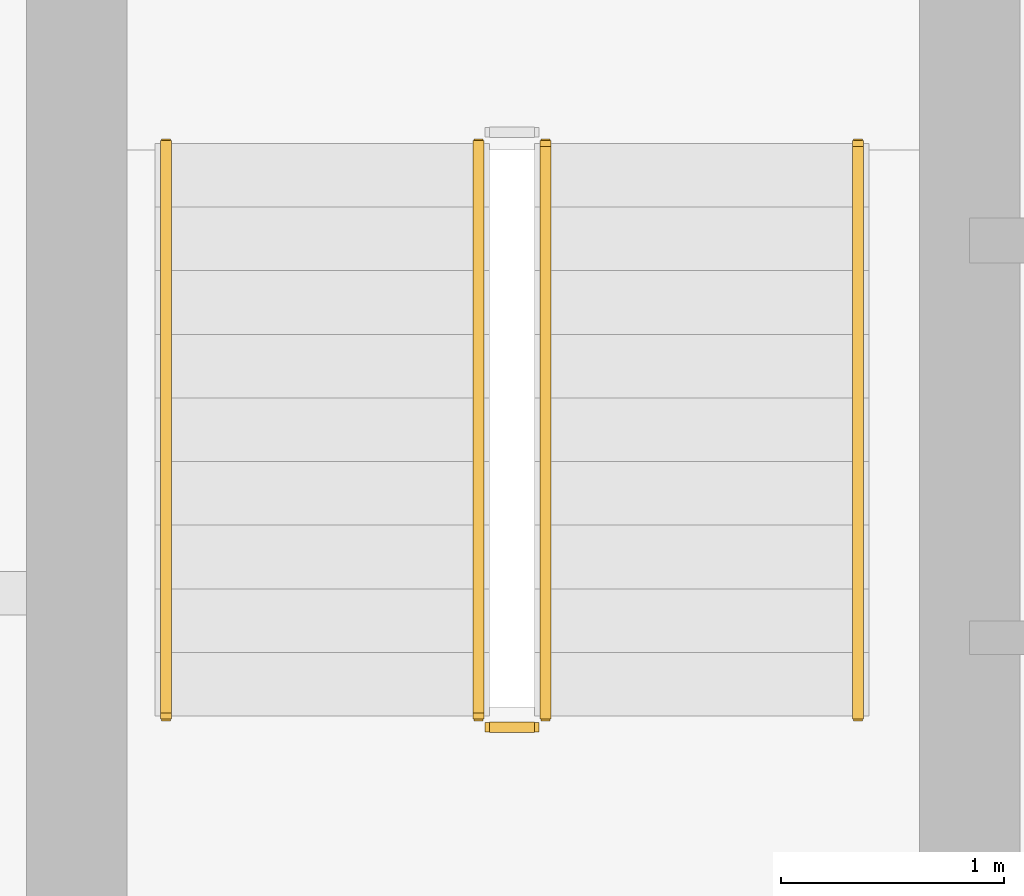
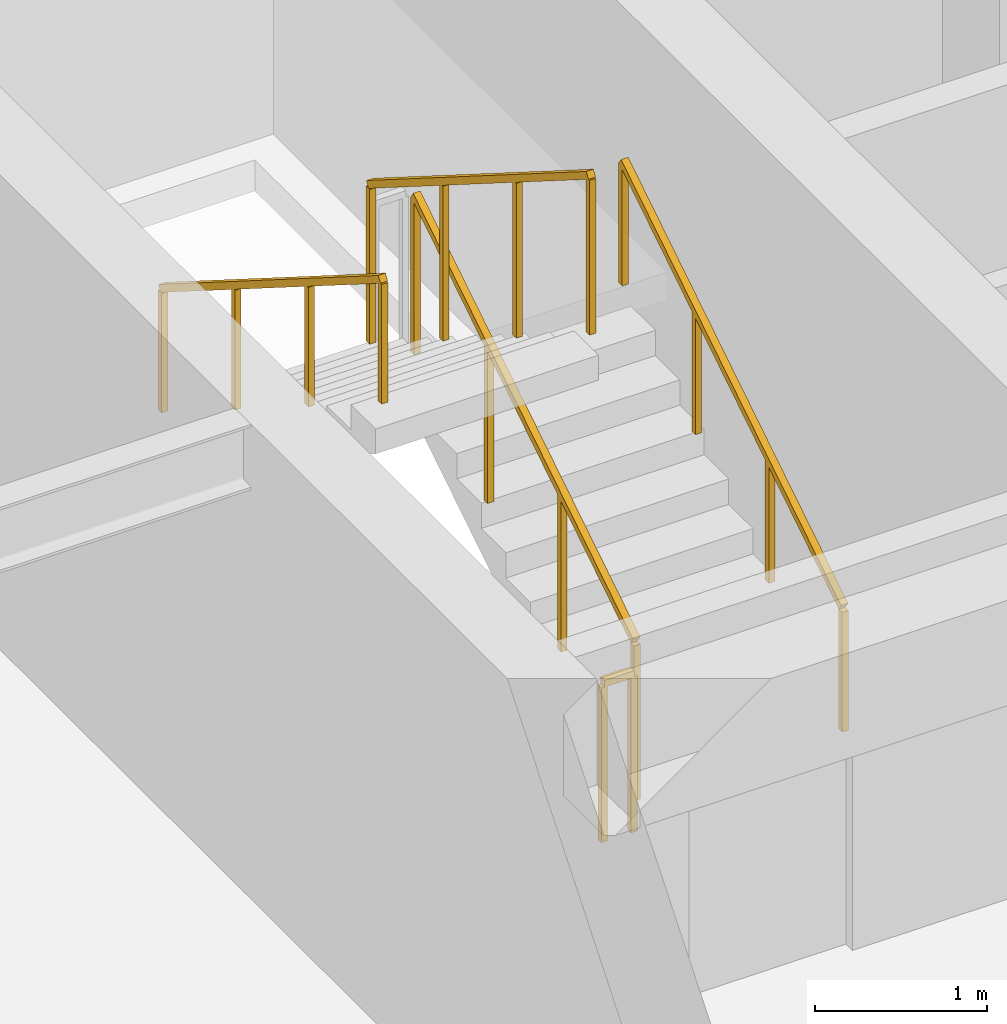
# One storey, part 27 of 29: 5 railings.
"""IFC4 building model written with IfcOpenShell, lengths in metres."""

from ifc_helpers import new_model, si_unit, direction, frame, origin, origin_2d, place, context, subcontext, project, spatial, rectangle, extrude, material, type_object, element, save


model = new_model("IFC4")

# Units and contexts
model_context = context("Model", 3, precision=1e-05, world=origin(), true_north=direction((0.0, 1.0)))
body_context = subcontext(model_context, "Body", "Model", "MODEL_VIEW")
ifc_project = project(units=[si_unit("LENGTHUNIT", "METRE"), si_unit("AREAUNIT", "SQUARE_METRE"), si_unit("VOLUMEUNIT", "CUBIC_METRE"), si_unit("PLANEANGLEUNIT", "RADIAN"), si_unit("MASSUNIT", "GRAM", prefix="KILO")], contexts=[model_context])

# Site, building, storey
site_placement = place(None, origin())
site = spatial("IfcSite", under=ifc_project, at=site_placement, CompositionType="ELEMENT")
building_placement = place(site_placement, origin())
building = spatial("IfcBuilding", under=site, at=building_placement, Name="Sarneth Arch Tower", CompositionType="ELEMENT")
storey_placement = place(building_placement, frame((0.0, 0.0, 175.800048828125)))
storey = spatial("IfcBuildingStorey", under=building, at=storey_placement, Name="L44", CompositionType="ELEMENT", Elevation=175.800048828125)

# Railings
ifc_material_1 = material(Name="Brushed Stainless Steel 304 tubular handrail", Category="steel")
railing_type_1 = type_object("IfcRailingType", Name="RAIL-HANDRAIL-900", PredefinedType="HANDRAIL", material=ifc_material_1)
railing_1_placement = place(storey_placement, frame((40.5, 41.449951171875, 0.179931640625)))
element("IfcRailing", 1, at=railing_1_placement, inside=storey, type_object=railing_type_1, Name="L44 ST-1 stair handrail 1", PredefinedType="HANDRAIL", context=body_context, shape_type="SweptSolid", body=[
    extrude(rectangle(XDim=0.048095703125, YDim=0.048095703125, at=origin_2d()), frame((0.0, 0.0, 0.8759765625), z_axis=(0.0, 0.845465955043, 0.534029323973), x_axis=(-1.0, 0.0, 0.0)), (0.0, 0.0, 1.0), 3.03369140625),
    extrude(rectangle(XDim=0.0419921875, YDim=0.0419921875, at=origin_2d()), origin(), (0.0, 0.0, 1.0), 0.851806640625),
    extrude(rectangle(XDim=0.0419921875, YDim=0.0419921875, at=origin_2d()), frame((0.0, 0.85498046875, 0.5400390625)), (0.0, 0.0, 1.0), 0.851806640625),
    extrude(rectangle(XDim=0.0419921875, YDim=0.0419921875, at=origin_2d()), frame((0.0, 1.7099609375, 1.080078125)), (0.0, 0.0, 1.0), 0.851806640625),
    extrude(rectangle(XDim=0.0419921875, YDim=0.0419921875, at=origin_2d()), frame((0.0, 2.56494140625, 1.6201171875)), (0.0, 0.0, 1.0), 0.851806640625),
])
railing_2_placement = place(storey_placement, frame((37.39990234375, 44.014892578125, 1.97998046875)))
element("IfcRailing", 2, at=railing_2_placement, inside=storey, type_object=railing_type_1, Name="L44 ST-1 stair handrail 2", PredefinedType="HANDRAIL", context=body_context, shape_type="SweptSolid", body=[
    extrude(rectangle(XDim=0.048095703125, YDim=0.048095703125, at=origin_2d()), frame((0.0, 0.0, 0.8759765625), z_axis=(0.0, -0.845502289212, 0.533971796014), x_axis=(1.0, 0.0, 0.0)), (0.0, 0.0, 1.0), 3.03369140625),
    extrude(rectangle(XDim=0.0419921875, YDim=0.0419921875, at=origin_2d()), origin(), (0.0, 0.0, 1.0), 0.851806640625),
    extrude(rectangle(XDim=0.0419921875, YDim=0.0419921875, at=origin_2d()), frame((0.0, -0.85498046875, 0.5400390625)), (0.0, 0.0, 1.0), 0.851806640625),
    extrude(rectangle(XDim=0.0419921875, YDim=0.0419921875, at=origin_2d()), frame((0.0, -1.7099609375, 1.079833984375)), (0.0, 0.0, 1.0), 0.851806640625),
    extrude(rectangle(XDim=0.0419921875, YDim=0.0419921875, at=origin_2d()), frame((0.0, -2.56494140625, 1.619873046875)), (0.0, 0.0, 1.0), 0.851806640625),
])
ifc_material_2 = material(Name="Painted Steel S275 stair well guard", Category="steel")
railing_type_2 = type_object("IfcRailingType", Name="RAIL-STAIR-GUARD", PredefinedType="GUARDRAIL", material=ifc_material_2)
railing_3_placement = place(storey_placement, frame((39.10009765625, 41.449951171875, 0.179931640625)))
element("IfcRailing", 3, at=railing_3_placement, inside=storey, type_object=railing_type_2, Name="L44 ST-1 stair guard 1", PredefinedType="GUARDRAIL", context=body_context, shape_type="SweptSolid", body=[
    extrude(rectangle(XDim=0.048095703125, YDim=0.048095703125, at=origin_2d()), frame((0.0, 0.0, 1.1259765625), z_axis=(0.0, 0.845465955043, 0.534029323973), x_axis=(-1.0, 0.0, 0.0)), (0.0, 0.0, 1.0), 3.03369140625),
    extrude(rectangle(XDim=0.0419921875, YDim=0.0419921875, at=origin_2d()), origin(), (0.0, 0.0, 1.0), 1.101806640625),
    extrude(rectangle(XDim=0.0419921875, YDim=0.0419921875, at=origin_2d()), frame((0.0, 0.85498046875, 0.5400390625)), (0.0, 0.0, 1.0), 1.101806640625),
    extrude(rectangle(XDim=0.0419921875, YDim=0.0419921875, at=origin_2d()), frame((0.0, 1.7099609375, 1.080078125)), (0.0, 0.0, 1.0), 1.101806640625),
    extrude(rectangle(XDim=0.0419921875, YDim=0.0419921875, at=origin_2d()), frame((0.0, 2.56494140625, 1.6201171875)), (0.0, 0.0, 1.0), 1.101806640625),
])
railing_4_placement = place(storey_placement, frame((38.800048828125, 44.014892578125, 1.97998046875)))
element("IfcRailing", 4, at=railing_4_placement, inside=storey, type_object=railing_type_2, Name="L44 ST-1 stair guard 3", PredefinedType="GUARDRAIL", context=body_context, shape_type="SweptSolid", body=[
    extrude(rectangle(XDim=0.048095703125, YDim=0.048095703125, at=origin_2d()), frame((0.0, 0.0, 1.1259765625), z_axis=(0.0, -0.845502289212, 0.533971796014), x_axis=(1.0, 0.0, 0.0)), (0.0, 0.0, 1.0), 3.03369140625),
    extrude(rectangle(XDim=0.0419921875, YDim=0.0419921875, at=origin_2d()), origin(), (0.0, 0.0, 1.0), 1.101806640625),
    extrude(rectangle(XDim=0.0419921875, YDim=0.0419921875, at=origin_2d()), frame((0.0, -0.85498046875, 0.5400390625)), (0.0, 0.0, 1.0), 1.101806640625),
    extrude(rectangle(XDim=0.0419921875, YDim=0.0419921875, at=origin_2d()), frame((0.0, -1.7099609375, 1.079833984375)), (0.0, 0.0, 1.0), 1.101806640625),
    extrude(rectangle(XDim=0.0419921875, YDim=0.0419921875, at=origin_2d()), frame((0.0, -2.56494140625, 1.619873046875)), (0.0, 0.0, 1.0), 1.101806640625),
])
railing_5_placement = place(storey_placement, frame((39.050048828125, 41.39990234375, 0.0)))
element("IfcRailing", 5, at=railing_5_placement, inside=storey, type_object=railing_type_2, Name="L44 ST-1 stair guard 4", PredefinedType="GUARDRAIL", context=body_context, shape_type="SweptSolid", body=[
    extrude(rectangle(XDim=0.048095703125, YDim=0.048095703125, at=origin_2d()), frame((0.0, 0.0, 1.1259765625), z_axis=(-1.0, 0.0, 0.0), x_axis=(0.0, -1.0, 0.0)), (0.0, 0.0, 1.0), 0.199951171875),
    extrude(rectangle(XDim=0.0419921875, YDim=0.0419921875, at=origin_2d()), origin(), (0.0, 0.0, 1.0), 1.101806640625),
    extrude(rectangle(XDim=0.0419921875, YDim=0.0419921875, at=origin_2d()), frame((-0.199951171875, 0.0, 0.0)), (0.0, 0.0, 1.0), 1.101806640625),
])

save(model, "model.ifc")
